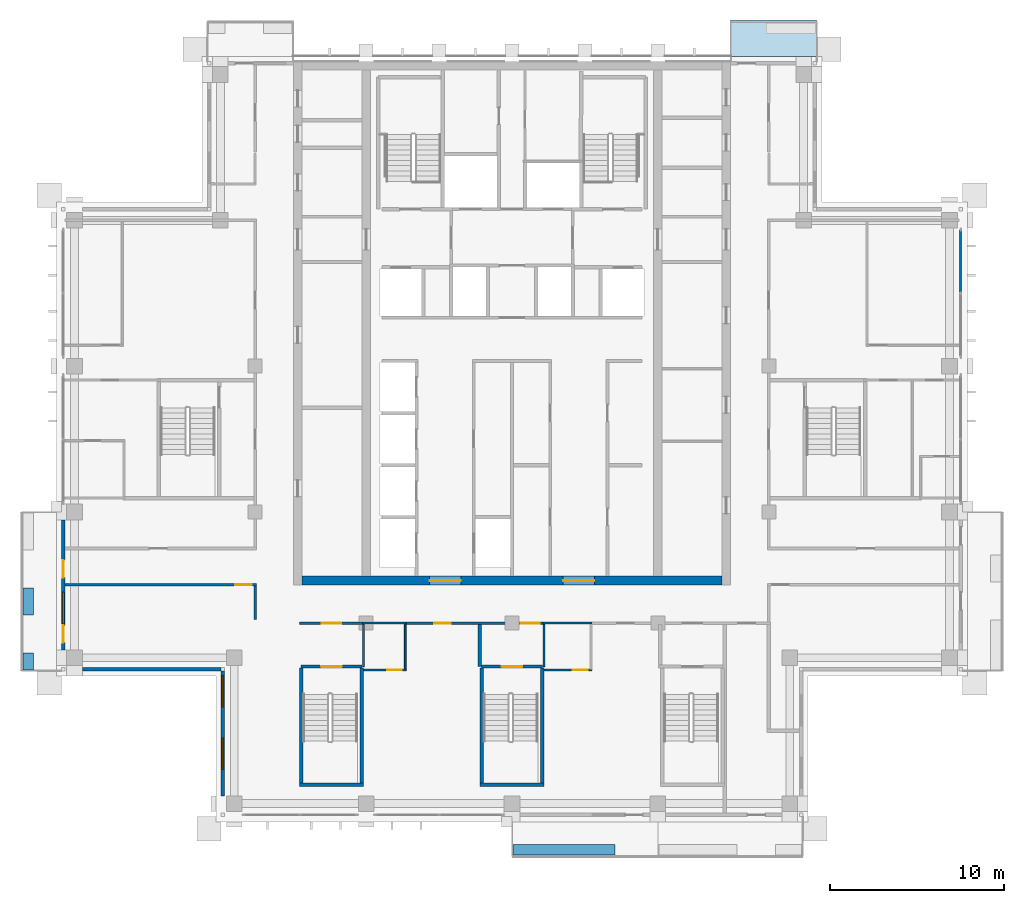
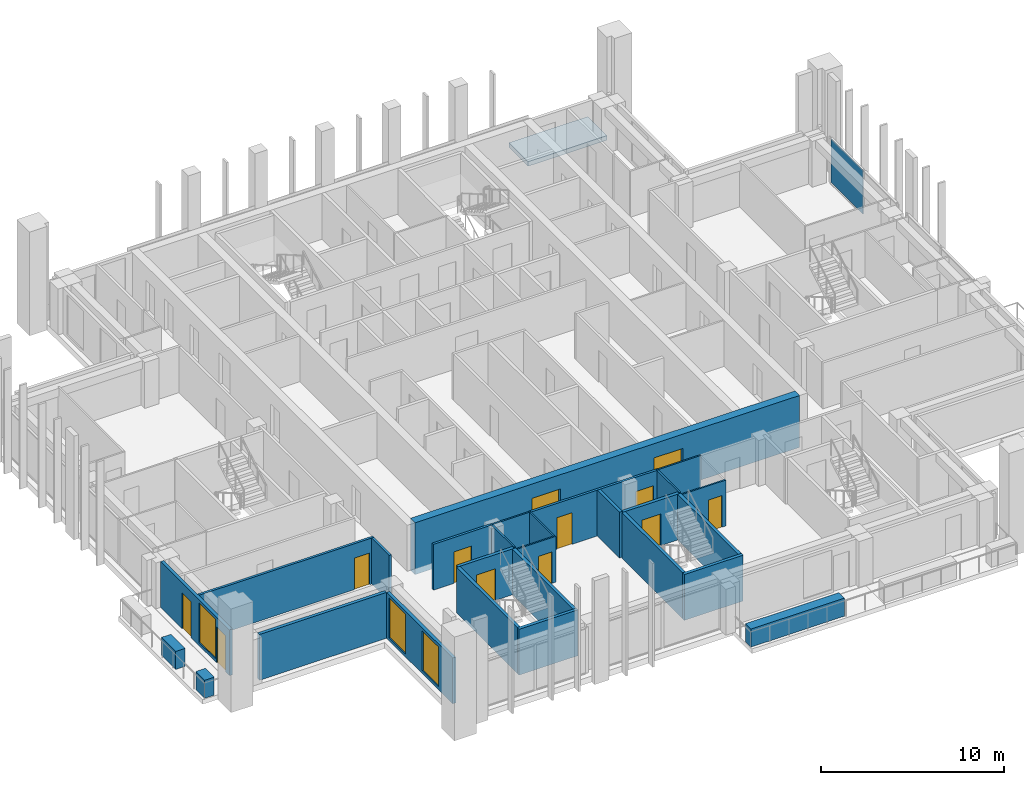
# One storey, part 8 of 18: 27 walls, 12 doors, 3 windows, 1 plate, 1 slab, 15 openings, 1 element without a shape of its own.
"""IFC4 building model written with IfcOpenShell, lengths in metres."""

from ifc_helpers import new_model, si_unit, direction, frame, frame_2d, origin, origin_2d, place, context, subcontext, project, spatial, polyline, rectangle, outline, extrude, material, layer, layer_set, type_object, element, fill, aggregate, save


model = new_model("IFC4")

# Units and contexts
model_context = context("Model", 3, precision=1e-05, world=origin(), true_north=direction((0.0, 1.0)))
body_context = subcontext(model_context, "Body", "Model", "MODEL_VIEW")
ifc_project = project(units=[si_unit("LENGTHUNIT", "METRE"), si_unit("AREAUNIT", "SQUARE_METRE"), si_unit("VOLUMEUNIT", "CUBIC_METRE"), si_unit("PLANEANGLEUNIT", "RADIAN"), si_unit("MASSUNIT", "GRAM", prefix="KILO")], contexts=[model_context])

# Site, building, storey
site_placement = place(None, origin())
site = spatial("IfcSite", under=ifc_project, at=site_placement, CompositionType="ELEMENT")
building_placement = place(site_placement, origin())
building = spatial("IfcBuilding", under=site, at=building_placement, Name="Vermilion Ogive Tower", CompositionType="ELEMENT")
storey_placement = place(building_placement, frame((0.0, 0.0, 254.5)))
storey = spatial("IfcBuildingStorey", under=building, at=storey_placement, Name="L67", CompositionType="ELEMENT", Elevation=254.5)

# Slab
ifc_material_1 = material(Name="Concrete B40", Category="concrete")
ifc_layer_1 = layer(ifc_material_1, 0.300048828125)
ifc_layer_set_1 = layer_set([ifc_layer_1], Name="Balcony slab")
slab_type = type_object("IfcSlabType", Name="Balcony slab", PredefinedType="FLOOR", material=ifc_layer_set_1)
slab_placement = place(storey_placement, frame((0.0, 0.0, -0.340087890625)))
element("IfcSlab", 1, at=slab_placement, inside=storey, type_object=slab_type, Name="Balcony slab N101", PredefinedType="FLOOR", context=body_context, shape_type="SweptSolid", body=[
    extrude(outline(polyline([(17.550048828125, 24.140869140625), (12.60009765625, 24.140869140625), (12.60009765625, 22.050048828125), (17.550048828125, 22.050048828125), (17.550048828125, 24.140869140625)])), origin(), (0.0, 0.0, 1.0), 0.300048828125),
])

# Curtain wall, plate
ifc_material_2 = material(Name="Low-iron laminated glazing in aluminium frame", Category="aluminium")
curtain_wall_type = type_object("IfcCurtainWallType", Name="Curtain wall CW7", PredefinedType="NOTDEFINED", material=ifc_material_2)
curtain_wall_placement = place(storey_placement, origin())
curtain_wall = element("IfcCurtainWall", 2, at=curtain_wall_placement, inside=storey, type_object=curtain_wall_type, Name="Glazed skin E3", PredefinedType="NOTDEFINED")
ifc_material_3 = material(Name="Low-iron laminated glazing in aluminium frame", Category="aluminium")
ifc_layer_2 = layer(ifc_material_3, 0.031982421875)
ifc_layer_set_2 = layer_set([ifc_layer_2], Name="CW7 glazing panel 32")
plate_type = type_object("IfcPlateType", Name="CW7 glazing panel 32", PredefinedType="CURTAIN_PANEL", material=ifc_layer_set_2)
plate_placement = place(storey_placement, frame((25.85009765625, 10.22998046875, 0.06005859375), z_axis=(0.0, 0.0, 1.0), x_axis=(0.0, 1.0, 0.0)))
plate = element("IfcPlate", 3, at=plate_placement, type_object=plate_type, Name="CW7-E3 panel 2.1", PredefinedType="CURTAIN_PANEL", context=body_context, shape_type="SweptSolid", body=[
    extrude(rectangle(XDim=3.47998046875, YDim=0.031982421875, at=origin_2d()), origin(), (0.0, 0.0, 1.0), 2.929931640625),
])
aggregate(curtain_wall, [plate])

# Wall, openings, doors
ifc_material_4 = material(Name="Concrete B60", Category="concrete")
ifc_layer_3 = layer(ifc_material_4, 0.5)
ifc_layer_set_3 = layer_set([ifc_layer_3], Name="Core wall 500 B60")
wall_type_1 = type_object("IfcWallType", Name="Core wall 500 B60", PredefinedType="SHEAR", material=ifc_layer_set_3)
wall_1_placement = place(storey_placement, frame((-12.10009765625, -8.14990234375, -0.39990234375), z_axis=(0.0, 0.0, 1.0), x_axis=(1.0, 0.0, 0.0)))
wall_1 = element("IfcWall", 4, at=wall_1_placement, inside=storey, type_object=wall_type_1, Name="L67-CORE-S", PredefinedType="SHEAR", context=body_context, shape_type="SweptSolid", body=[
    extrude(rectangle(XDim=24.2001953125, YDim=0.5, at=frame_2d((12.10009765625, 0.0))), origin(), (0.0, 0.0, 1.0), 3.449951171875),
])
opening_1_placement = place(wall_1_placement, frame((7.35009765625, 0.0, 0.39990234375)))
opening_1 = element("IfcOpeningElement", 5, at=opening_1_placement, cuts=wall_1, Name="Opening DAH055", PredefinedType="OPENING", context=body_context, shape_type="SweptSolid", body=[
    extrude(rectangle(XDim=1.800048828125, YDim=2.10009765625, at=frame_2d((0.89990234375, 1.050048828125))), frame((0.0, 0.260009765625, 0.0), z_axis=(0.0, -1.0, 0.0), x_axis=(1.0, 0.0, 0.0)), (0.0, 0.0, 1.0), 0.52001953125),
])
opening_2_placement = place(wall_1_placement, frame((15.050048828125, 0.0, 0.39990234375)))
opening_2 = element("IfcOpeningElement", 6, at=opening_2_placement, cuts=wall_1, Name="Opening DAH056", PredefinedType="OPENING", context=body_context, shape_type="SweptSolid", body=[
    extrude(rectangle(XDim=1.800048828125, YDim=2.10009765625, at=frame_2d((0.89990234375, 1.050048828125))), frame((0.0, 0.260009765625, 0.0), z_axis=(0.0, -1.0, 0.0), x_axis=(1.0, 0.0, 0.0)), (0.0, 0.0, 1.0), 0.52001953125),
])
ifc_material_5 = material(Name="Timber door leaf", Category="wood")
door_type_1 = type_object("IfcDoorType", Name="Core entry door 1800 x 2100 FD60S", OperationType="DOUBLE_DOOR_SINGLE_SWING", PredefinedType="DOOR", material=ifc_material_5)
door_1_placement = place(opening_1_placement, origin())
door_1 = element("IfcDoor", 7, at=door_1_placement, inside=storey, type_object=door_type_1, Name="L67-CK-XD1", OperationType="SINGLE_SWING_LEFT", OverallHeight=2.10009765625, OverallWidth=1.800048828125, PredefinedType="DOOR", context=body_context, shape_type="SweptSolid", body=[
    extrude(rectangle(XDim=1.800048828125, YDim=2.10009765625, at=frame_2d((0.89990234375, 1.050048828125))), frame((0.0, 0.02490234375, 0.0), z_axis=(0.0, -1.0, 0.0), x_axis=(1.0, 0.0, 0.0)), (0.0, 0.0, 1.0), 0.050048828125),
])
fill(opening_1, door_1)
door_2_placement = place(opening_2_placement, origin())
door_2 = element("IfcDoor", 8, at=door_2_placement, inside=storey, type_object=door_type_1, Name="L67-CK-XD2", OperationType="SINGLE_SWING_LEFT", OverallHeight=2.10009765625, OverallWidth=1.800048828125, PredefinedType="DOOR", context=body_context, shape_type="SweptSolid", body=[
    extrude(rectangle(XDim=1.800048828125, YDim=2.10009765625, at=frame_2d((0.89990234375, 1.050048828125))), frame((0.0, 0.02490234375, 0.0), z_axis=(0.0, -1.0, 0.0), x_axis=(1.0, 0.0, 0.0)), (0.0, 0.0, 1.0), 0.050048828125),
])
fill(opening_2, door_2)

# Wall, opening, door
ifc_material_6 = material(Name="Gypsum board partition on steel studs", Category="steel")
ifc_layer_4 = layer(ifc_material_6, 0.10009765625)
ifc_layer_set_4 = layer_set([ifc_layer_4], Name="Partition 100 bath")
wall_type_2 = type_object("IfcWallType", Name="Partition 100 bath", PredefinedType="PARTITIONING", material=ifc_layer_set_4)
wall_2_placement = place(storey_placement, frame((-8.550048828125, -13.300048828125, 0.0), z_axis=(0.0, 0.0, 1.0), x_axis=(1.0, 0.0, 0.0)))
wall_2 = element("IfcWall", 9, at=wall_2_placement, inside=storey, type_object=wall_type_2, Name="L67-W-W003", PredefinedType="PARTITIONING", context=body_context, shape_type="SweptSolid", body=[
    extrude(rectangle(XDim=2.449951171875, YDim=0.10009765625, at=frame_2d((1.22509765625, 0.0))), origin(), (0.0, 0.0, 1.0), 3.050048828125),
])
opening_3_placement = place(wall_2_placement, frame((1.35009765625, 0.0, 0.0)))
opening_3 = element("IfcOpeningElement", 10, at=opening_3_placement, cuts=wall_2, Name="Opening D5G5010", PredefinedType="OPENING", context=body_context, shape_type="SweptSolid", body=[
    extrude(rectangle(XDim=0.85009765625, YDim=2.10009765625, at=frame_2d((0.425048828125, 1.050048828125))), frame((0.0, 0.06005859375, 0.0), z_axis=(0.0, -1.0, 0.0), x_axis=(1.0, 0.0, 0.0)), (0.0, 0.0, 1.0), 0.1201171875),
])
ifc_material_7 = material(Name="Timber door leaf", Category="wood")
door_type_2 = type_object("IfcDoorType", Name="Bath door 850 x 2100 FD30", OperationType="SINGLE_SWING_LEFT", PredefinedType="DOOR", material=ifc_material_7)
door_3_placement = place(opening_3_placement, origin())
door_3 = element("IfcDoor", 11, at=door_3_placement, inside=storey, type_object=door_type_2, Name="L67-D-D010", OperationType="SINGLE_SWING_LEFT", OverallHeight=2.10009765625, OverallWidth=0.85009765625, PredefinedType="DOOR", context=body_context, shape_type="SweptSolid", body=[
    extrude(rectangle(XDim=0.85009765625, YDim=2.10009765625, at=frame_2d((0.425048828125, 1.050048828125))), frame((0.0, 0.02490234375, 0.0), z_axis=(0.0, -1.0, 0.0), x_axis=(1.0, 0.0, 0.0)), (0.0, 0.0, 1.0), 0.050048828125),
])
fill(opening_3, door_3)

wall_3_placement = place(storey_placement, frame((1.85009765625, -13.300048828125, 0.0), z_axis=(0.0, 0.0, 1.0), x_axis=(1.0, 0.0, 0.0)))
wall_3 = element("IfcWall", 12, at=wall_3_placement, inside=storey, type_object=wall_type_2, Name="L67-W-W004", PredefinedType="PARTITIONING", context=body_context, shape_type="SweptSolid", body=[
    extrude(rectangle(XDim=2.747802734375, YDim=0.10009765625, at=frame_2d((1.3740234375, 0.0))), origin(), (0.0, 0.0, 1.0), 3.050048828125),
])
opening_4_placement = place(wall_3_placement, frame((1.64990234375, 0.0, 0.0)))
opening_4 = element("IfcOpeningElement", 13, at=opening_4_placement, cuts=wall_3, Name="Opening D5G5012", PredefinedType="OPENING", context=body_context, shape_type="SweptSolid", body=[
    extrude(rectangle(XDim=0.85009765625, YDim=2.10009765625, at=frame_2d((0.425048828125, 1.050048828125))), frame((0.0, 0.06005859375, 0.0), z_axis=(0.0, -1.0, 0.0), x_axis=(1.0, 0.0, 0.0)), (0.0, 0.0, 1.0), 0.1201171875),
])
door_4_placement = place(opening_4_placement, origin())
door_4 = element("IfcDoor", 14, at=door_4_placement, inside=storey, type_object=door_type_2, Name="L67-D-D012", OperationType="SINGLE_SWING_RIGHT", OverallHeight=2.10009765625, OverallWidth=0.85009765625, PredefinedType="DOOR", context=body_context, shape_type="SweptSolid", body=[
    extrude(rectangle(XDim=0.85009765625, YDim=2.10009765625, at=frame_2d((0.425048828125, 1.050048828125))), frame((0.0, 0.02490234375, 0.0), z_axis=(0.0, -1.0, 0.0), x_axis=(1.0, 0.0, 0.0)), (0.0, 0.0, 1.0), 0.050048828125),
])
fill(opening_4, door_4)

# Walls
wall_4_placement = place(storey_placement, frame((-8.60009765625, -10.60009765625, 0.0), z_axis=(0.0, 0.0, 1.0), x_axis=(1.0, 0.0, 0.0)))
element("IfcWall", 15, at=wall_4_placement, inside=storey, type_object=wall_type_2, Name="L67-W-W009", PredefinedType="PARTITIONING", context=body_context, shape_type="SweptSolid", body=[
    extrude(rectangle(XDim=2.5, YDim=0.10009765625, at=frame_2d((1.25, 0.0))), origin(), (0.0, 0.0, 1.0), 3.050048828125),
])
wall_5_placement = place(storey_placement, frame((1.800048828125, -10.60009765625, 0.0), z_axis=(0.0, 0.0, 1.0), x_axis=(1.0, 0.0, 0.0)))
element("IfcWall", 16, at=wall_5_placement, inside=storey, type_object=wall_type_2, Name="L67-W-W011", PredefinedType="PARTITIONING", context=body_context, shape_type="SweptSolid", body=[
    extrude(rectangle(XDim=2.800048828125, YDim=0.10009765625, at=frame_2d((1.39990234375, 0.0))), origin(), (0.0, 0.0, 1.0), 3.050048828125),
])
wall_6_placement = place(storey_placement, frame((-8.550048828125, -13.10009765625, 0.0), z_axis=(0.0, 0.0, 1.0), x_axis=(0.0, 1.0, 0.0)))
element("IfcWall", 17, at=wall_6_placement, inside=storey, type_object=wall_type_2, Name="L67-W-W048", PredefinedType="PARTITIONING", context=body_context, shape_type="SweptSolid", body=[
    extrude(rectangle(XDim=2.425048828125, YDim=0.10009765625, at=frame_2d((1.21240234375, 0.0))), origin(), (0.0, 0.0, 1.0), 3.050048828125),
])
wall_7_placement = place(storey_placement, frame((-6.14990234375, -13.25, 0.0), z_axis=(0.0, 0.0, 1.0), x_axis=(0.0, 1.0, 0.0)))
element("IfcWall", 18, at=wall_7_placement, inside=storey, type_object=wall_type_2, Name="L67-W-W049", PredefinedType="PARTITIONING", context=body_context, shape_type="SweptSolid", body=[
    extrude(rectangle(XDim=2.574951171875, YDim=0.10009765625, at=frame_2d((1.28759765625, 0.0))), origin(), (0.0, 0.0, 1.0), 3.050048828125),
])
wall_8_placement = place(storey_placement, frame((1.85009765625, -13.10009765625, 0.0), z_axis=(0.0, 0.0, 1.0), x_axis=(0.0, 1.0, 0.0)))
element("IfcWall", 19, at=wall_8_placement, inside=storey, type_object=wall_type_2, Name="L67-W-W051", PredefinedType="PARTITIONING", context=body_context, shape_type="SweptSolid", body=[
    extrude(rectangle(XDim=2.425048828125, YDim=0.10009765625, at=frame_2d((1.21240234375, 0.0))), origin(), (0.0, 0.0, 1.0), 3.050048828125),
])

# Wall, opening, door
ifc_material_8 = material(Name="Gypsum board partition on steel studs", Category="steel")
ifc_layer_5 = layer(ifc_material_8, 0.14990234375)
ifc_layer_set_5 = layer_set([ifc_layer_5], Name="Partition 150 corridor")
wall_type_3 = type_object("IfcWallType", Name="Partition 150 corridor", PredefinedType="PARTITIONING", material=ifc_layer_set_5)
wall_9_placement = place(storey_placement, frame((-12.25, -10.60009765625, 0.0), z_axis=(0.0, 0.0, 1.0), x_axis=(1.0, 0.0, 0.0)))
wall_9 = element("IfcWall", 20, at=wall_9_placement, inside=storey, type_object=wall_type_3, Name="L67-W-W008", PredefinedType="PARTITIONING", context=body_context, shape_type="SweptSolid", body=[
    extrude(rectangle(XDim=3.75, YDim=0.14990234375, at=frame_2d((1.875, 0.0))), origin(), (0.0, 0.0, 1.0), 3.050048828125),
])
opening_5_placement = place(wall_9_placement, frame((1.300048828125, 0.0, 0.0)))
opening_5 = element("IfcOpeningElement", 21, at=opening_5_placement, cuts=wall_9, Name="Opening D5G5021", PredefinedType="OPENING", context=body_context, shape_type="SweptSolid", body=[
    extrude(rectangle(XDim=1.10009765625, YDim=2.10009765625, at=frame_2d((0.550048828125, 1.050048828125))), frame((0.0, 0.0849609375, 0.0), z_axis=(0.0, -1.0, 0.0), x_axis=(1.0, 0.0, 0.0)), (0.0, 0.0, 1.0), 0.169921875),
])
ifc_material_9 = material(Name="Timber door leaf", Category="wood")
door_type_3 = type_object("IfcDoorType", Name="Stair door 1100 x 2100 FD60S", OperationType="SINGLE_SWING_LEFT", PredefinedType="DOOR", material=ifc_material_9)
door_5_placement = place(opening_5_placement, origin())
door_5 = element("IfcDoor", 22, at=door_5_placement, inside=storey, type_object=door_type_3, Name="L67-D-D021", OperationType="SINGLE_SWING_RIGHT", OverallHeight=2.10009765625, OverallWidth=1.10009765625, PredefinedType="DOOR", context=body_context, shape_type="SweptSolid", body=[
    extrude(rectangle(XDim=1.10009765625, YDim=2.10009765625, at=frame_2d((0.550048828125, 1.050048828125))), frame((0.0, 0.02490234375, 0.0), z_axis=(0.0, -1.0, 0.0), x_axis=(1.0, 0.0, 0.0)), (0.0, 0.0, 1.0), 0.050048828125),
])
fill(opening_5, door_5)

# Wall, openings, doors
wall_10_placement = place(storey_placement, frame((-6.199951171875, -10.60009765625, 0.0), z_axis=(0.0, 0.0, 1.0), x_axis=(1.0, 0.0, 0.0)))
wall_10 = element("IfcWall", 23, at=wall_10_placement, inside=storey, type_object=wall_type_3, Name="L67-W-W010", PredefinedType="PARTITIONING", context=body_context, shape_type="SweptSolid", body=[
    extrude(rectangle(XDim=8.099853515625, YDim=0.14990234375, at=frame_2d((4.0498046875, 0.0))), origin(), (0.0, 0.0, 1.0), 3.050048828125),
])
opening_6_placement = place(wall_10_placement, frame((1.724853515625, 0.0, 0.0)))
opening_6 = element("IfcOpeningElement", 24, at=opening_6_placement, cuts=wall_10, Name="Opening D5G5009", PredefinedType="OPENING", context=body_context, shape_type="SweptSolid", body=[
    extrude(rectangle(XDim=0.949951171875, YDim=2.10009765625, at=frame_2d((0.47509765625, 1.050048828125))), frame((0.0, 0.0849609375, 0.0), z_axis=(0.0, -1.0, 0.0), x_axis=(1.0, 0.0, 0.0)), (0.0, 0.0, 1.0), 0.169921875),
])
opening_7_placement = place(wall_10_placement, frame((6.699951171875, 0.0, 0.0)))
opening_7 = element("IfcOpeningElement", 25, at=opening_7_placement, cuts=wall_10, Name="Opening D5G5023", PredefinedType="OPENING", context=body_context, shape_type="SweptSolid", body=[
    extrude(rectangle(XDim=1.10009765625, YDim=2.10009765625, at=frame_2d((0.550048828125, 1.050048828125))), frame((0.0, 0.0849609375, 0.0), z_axis=(0.0, -1.0, 0.0), x_axis=(1.0, 0.0, 0.0)), (0.0, 0.0, 1.0), 0.169921875),
])
door_6_placement = place(opening_7_placement, origin())
door_6 = element("IfcDoor", 26, at=door_6_placement, inside=storey, type_object=door_type_3, Name="L67-D-D023", OperationType="SINGLE_SWING_LEFT", OverallHeight=2.10009765625, OverallWidth=1.10009765625, PredefinedType="DOOR", context=body_context, shape_type="SweptSolid", body=[
    extrude(rectangle(XDim=1.10009765625, YDim=2.10009765625, at=frame_2d((0.550048828125, 1.050048828125))), frame((0.0, 0.02490234375, 0.0), z_axis=(0.0, -1.0, 0.0), x_axis=(1.0, 0.0, 0.0)), (0.0, 0.0, 1.0), 0.050048828125),
])
fill(opening_7, door_6)
ifc_material_10 = material(Name="Timber door leaf", Category="wood")
door_type_4 = type_object("IfcDoorType", Name="Unit door 950 x 2100 FD30S", OperationType="SINGLE_SWING_LEFT", PredefinedType="DOOR", material=ifc_material_10)
door_7_placement = place(opening_6_placement, origin())
door_7 = element("IfcDoor", 27, at=door_7_placement, inside=storey, type_object=door_type_4, Name="L67-D-D009", OperationType="SINGLE_SWING_LEFT", OverallHeight=2.10009765625, OverallWidth=0.949951171875, PredefinedType="DOOR", context=body_context, shape_type="SweptSolid", body=[
    extrude(rectangle(XDim=0.949951171875, YDim=2.10009765625, at=frame_2d((0.47509765625, 1.050048828125))), frame((0.0, 0.02490234375, 0.0), z_axis=(0.0, -1.0, 0.0), x_axis=(1.0, 0.0, 0.0)), (0.0, 0.0, 1.0), 0.050048828125),
])
fill(opening_6, door_7)

# Wall, opening, door
wall_11_placement = place(storey_placement, frame((-25.75, -8.39990234375, 0.0), z_axis=(0.0, 0.0, 1.0), x_axis=(1.0, 0.0, 0.0)))
wall_11 = element("IfcWall", 28, at=wall_11_placement, inside=storey, type_object=wall_type_3, Name="L67-W-W014", PredefinedType="PARTITIONING", context=body_context, shape_type="SweptSolid", body=[
    extrude(rectangle(XDim=11.02490234375, YDim=0.14990234375, at=frame_2d((5.512451171875, 0.0))), origin(), (0.0, 0.0, 1.0), 3.050048828125),
])
opening_8_placement = place(wall_11_placement, frame((9.800048828125, 0.0, 0.0)))
opening_8 = element("IfcOpeningElement", 29, at=opening_8_placement, cuts=wall_11, Name="Opening D5G5001", PredefinedType="OPENING", context=body_context, shape_type="SweptSolid", body=[
    extrude(rectangle(XDim=0.949951171875, YDim=2.10009765625, at=frame_2d((0.47509765625, 1.050048828125))), frame((0.0, 0.0849609375, 0.0), z_axis=(0.0, -1.0, 0.0), x_axis=(1.0, 0.0, 0.0)), (0.0, 0.0, 1.0), 0.169921875),
])
door_8_placement = place(opening_8_placement, origin())
door_8 = element("IfcDoor", 30, at=door_8_placement, inside=storey, type_object=door_type_4, Name="L67-D-D001", OperationType="SINGLE_SWING_RIGHT", OverallHeight=2.10009765625, OverallWidth=0.949951171875, PredefinedType="DOOR", context=body_context, shape_type="SweptSolid", body=[
    extrude(rectangle(XDim=0.949951171875, YDim=2.10009765625, at=frame_2d((0.47509765625, 1.050048828125))), frame((0.0, 0.02490234375, 0.0), z_axis=(0.0, -1.0, 0.0), x_axis=(1.0, 0.0, 0.0)), (0.0, 0.0, 1.0), 0.050048828125),
])
fill(opening_8, door_8)

# Walls
wall_12_placement = place(storey_placement, frame((-14.800048828125, -10.3798828125, 0.0), z_axis=(0.0, 0.0, 1.0), x_axis=(0.0, 1.0, 0.0)))
element("IfcWall", 31, at=wall_12_placement, inside=storey, type_object=wall_type_3, Name="L67-W-W044", PredefinedType="PARTITIONING", context=body_context, shape_type="SweptSolid", body=[
    extrude(rectangle(XDim=1.90478515625, YDim=0.14990234375, at=frame_2d((0.952392578125, 0.0))), origin(), (0.0, 0.0, 1.0), 3.050048828125),
])
ifc_material_11 = material(Name="Gypsum board partition on steel studs", Category="steel")
ifc_layer_6 = layer(ifc_material_11, 0.199951171875)
ifc_layer_set_6 = layer_set([ifc_layer_6], Name="Partition 200 party")
wall_type_4 = type_object("IfcWallType", Name="Partition 200 party", PredefinedType="PARTITIONING", material=ifc_layer_set_6)
wall_13_placement = place(storey_placement, frame((-1.85009765625, -13.10009765625, 0.0), z_axis=(0.0, 0.0, 1.0), x_axis=(0.0, 1.0, 0.0)))
element("IfcWall", 32, at=wall_13_placement, inside=storey, type_object=wall_type_4, Name="L67-W-W050", PredefinedType="PARTITIONING", context=body_context, shape_type="SweptSolid", body=[
    extrude(rectangle(XDim=2.425048828125, YDim=0.199951171875, at=frame_2d((1.21240234375, 0.0))), origin(), (0.0, 0.0, 1.0), 3.050048828125),
])

# Wall, opening, door
ifc_material_12 = material(Name="Concrete B60", Category="concrete")
ifc_layer_7 = layer(ifc_material_12, 0.199951171875)
ifc_layer_set_7 = layer_set([ifc_layer_7], Name="Stair shaft wall 200 Concrete B60")
wall_type_5 = type_object("IfcWallType", Name="Stair shaft wall 200 Concrete B60", PredefinedType="SOLIDWALL", material=ifc_layer_set_7)
wall_14_placement = place(storey_placement, frame((-12.14990234375, -13.10009765625, 0.0), z_axis=(0.0, 0.0, 1.0), x_axis=(1.0, 0.0, 0.0)))
wall_14 = element("IfcWall", 33, at=wall_14_placement, inside=storey, type_object=wall_type_5, Name="L67-W-W005", PredefinedType="SOLIDWALL", context=body_context, shape_type="SweptSolid", body=[
    extrude(rectangle(XDim=3.5, YDim=0.199951171875, at=frame_2d((1.75, 0.0))), origin(), (0.0, 0.0, 1.0), 3.050048828125),
])
opening_9_placement = place(wall_14_placement, frame((1.14990234375, 0.0, 0.0)))
opening_9 = element("IfcOpeningElement", 34, at=opening_9_placement, cuts=wall_14, Name="Opening D5G5022", PredefinedType="OPENING", context=body_context, shape_type="SweptSolid", body=[
    extrude(rectangle(XDim=1.199951171875, YDim=2.10009765625, at=frame_2d((0.60009765625, 1.050048828125))), frame((0.0, 0.10986328125, 0.0), z_axis=(0.0, -1.0, 0.0), x_axis=(1.0, 0.0, 0.0)), (0.0, 0.0, 1.0), 0.219970703125),
])
ifc_material_13 = material(Name="Timber door leaf", Category="wood")
door_type_5 = type_object("IfcDoorType", Name="Stair door 1200 x 2100 FD60S", OperationType="SINGLE_SWING_LEFT", PredefinedType="DOOR", material=ifc_material_13)
door_9_placement = place(opening_9_placement, origin())
door_9 = element("IfcDoor", 35, at=door_9_placement, inside=storey, type_object=door_type_5, Name="L67-D-D022", OperationType="SINGLE_SWING_RIGHT", OverallHeight=2.10009765625, OverallWidth=1.199951171875, PredefinedType="DOOR", context=body_context, shape_type="SweptSolid", body=[
    extrude(rectangle(XDim=1.199951171875, YDim=2.10009765625, at=frame_2d((0.60009765625, 1.050048828125))), frame((0.0, 0.02490234375, 0.0), z_axis=(0.0, -1.0, 0.0), x_axis=(1.0, 0.0, 0.0)), (0.0, 0.0, 1.0), 0.050048828125),
])
fill(opening_9, door_9)

wall_15_placement = place(storey_placement, frame((-1.75, -13.10009765625, 0.0), z_axis=(0.0, 0.0, 1.0), x_axis=(1.0, 0.0, 0.0)))
wall_15 = element("IfcWall", 36, at=wall_15_placement, inside=storey, type_object=wall_type_5, Name="L67-W-W006", PredefinedType="SOLIDWALL", context=body_context, shape_type="SweptSolid", body=[
    extrude(rectangle(XDim=3.5, YDim=0.199951171875, at=frame_2d((1.75, 0.0))), origin(), (0.0, 0.0, 1.0), 3.050048828125),
])
opening_10_placement = place(wall_15_placement, frame((1.14990234375, 0.0, 0.0)))
opening_10 = element("IfcOpeningElement", 37, at=opening_10_placement, cuts=wall_15, Name="Opening D5G5024", PredefinedType="OPENING", context=body_context, shape_type="SweptSolid", body=[
    extrude(rectangle(XDim=1.199951171875, YDim=2.10009765625, at=frame_2d((0.60009765625, 1.050048828125))), frame((0.0, 0.10986328125, 0.0), z_axis=(0.0, -1.0, 0.0), x_axis=(1.0, 0.0, 0.0)), (0.0, 0.0, 1.0), 0.219970703125),
])
door_10_placement = place(opening_10_placement, origin())
door_10 = element("IfcDoor", 38, at=door_10_placement, inside=storey, type_object=door_type_5, Name="L67-D-D024", OperationType="SINGLE_SWING_RIGHT", OverallHeight=2.10009765625, OverallWidth=1.199951171875, PredefinedType="DOOR", context=body_context, shape_type="SweptSolid", body=[
    extrude(rectangle(XDim=1.199951171875, YDim=2.10009765625, at=frame_2d((0.60009765625, 1.050048828125))), frame((0.0, 0.02490234375, 0.0), z_axis=(0.0, -1.0, 0.0), x_axis=(1.0, 0.0, 0.0)), (0.0, 0.0, 1.0), 0.050048828125),
])
fill(opening_10, door_10)

# Walls
wall_16_placement = place(storey_placement, frame((-12.25, -19.89990234375, 0.0), z_axis=(0.0, 0.0, 1.0), x_axis=(1.0, 0.0, 0.0)))
element("IfcWall", 39, at=wall_16_placement, inside=storey, type_object=wall_type_5, Name="L67-SW-ST3-S1", PredefinedType="SOLIDWALL", context=body_context, shape_type="SweptSolid", body=[
    extrude(rectangle(XDim=3.699951171875, YDim=0.199951171875, at=frame_2d((1.85009765625, 0.0))), origin(), (0.0, 0.0, 1.0), 3.050048828125),
])
for number, where, z_axis, x_axis, name in (
    (40, (-12.14990234375, -19.800048828125, 0.0), (0.0, 0.0, 1.0), (0.0, 1.0, 0.0), "L67-SW-ST3-W1"),
    (41, (-8.64990234375, -19.800048828125, 0.0), (0.0, 0.0, 1.0), (0.0, 1.0, 0.0), "L67-SW-ST3-E1"),
):
    element("IfcWall", number, at=place(storey_placement, frame(where, z_axis=z_axis, x_axis=x_axis)), inside=storey, type_object=wall_type_5, Name=name, PredefinedType="SOLIDWALL", context=body_context, shape_type="SweptSolid", body=[
        extrude(rectangle(XDim=6.60009765625, YDim=0.199951171875, at=frame_2d((3.300048828125, 0.0))), origin(), (0.0, 0.0, 1.0), 3.050048828125),
    ])
wall_17_placement = place(storey_placement, frame((-1.85009765625, -19.89990234375, 0.0), z_axis=(0.0, 0.0, 1.0), x_axis=(1.0, 0.0, 0.0)))
element("IfcWall", 42, at=wall_17_placement, inside=storey, type_object=wall_type_5, Name="L67-SW-ST4-S1", PredefinedType="SOLIDWALL", context=body_context, shape_type="SweptSolid", body=[
    extrude(rectangle(XDim=3.7001953125, YDim=0.199951171875, at=frame_2d((1.85009765625, 0.0))), origin(), (0.0, 0.0, 1.0), 3.050048828125),
])
for number, where, z_axis, x_axis, name in (
    (43, (-1.75, -19.800048828125, 0.0), (0.0, 0.0, 1.0), (0.0, 1.0, 0.0), "L67-SW-ST4-W1"),
    (44, (1.75, -19.800048828125, 0.0), (0.0, 0.0, 1.0), (0.0, 1.0, 0.0), "L67-SW-ST4-E1"),
):
    element("IfcWall", number, at=place(storey_placement, frame(where, z_axis=z_axis, x_axis=x_axis)), inside=storey, type_object=wall_type_5, Name=name, PredefinedType="SOLIDWALL", context=body_context, shape_type="SweptSolid", body=[
        extrude(rectangle(XDim=6.60009765625, YDim=0.199951171875, at=frame_2d((3.300048828125, 0.0))), origin(), (0.0, 0.0, 1.0), 3.050048828125),
    ])
ifc_material_14 = material(Name="Concrete B40", Category="concrete")
ifc_layer_8 = layer(ifc_material_14, 0.60009765625)
ifc_layer_set_8 = layer_set([ifc_layer_8], Name="Structural planter")
wall_type_6 = type_object("IfcWallType", Name="Structural planter", PredefinedType="USERDEFINED", material=ifc_layer_set_8)
wall_18_placement = place(storey_placement, frame((0.06005859375, -23.660888671875, -0.0400390625), z_axis=(0.0, 0.0, 1.0), x_axis=(1.0, 0.0, 0.0)))
element("IfcWall", 45, at=wall_18_placement, inside=storey, type_object=wall_type_6, Name="Planter S03A1", ObjectType="PLANTER", PredefinedType="USERDEFINED", context=body_context, shape_type="SweptSolid", body=[
    extrude(rectangle(XDim=5.864990234375, YDim=0.60009765625, at=frame_2d((2.9326171875, 0.0))), origin(), (0.0, 0.0, 1.0), 1.199951171875),
])
wall_19_placement = place(storey_placement, frame((-27.86083984375, -8.574951171875, -0.0400390625), z_axis=(0.0, 0.0, 1.0), x_axis=(0.0, -1.0, 0.0)))
element("IfcWall", 46, at=wall_19_placement, inside=storey, type_object=wall_type_6, Name="Planter W03A2", ObjectType="PLANTER", PredefinedType="USERDEFINED", context=body_context, shape_type="SweptSolid", body=[
    extrude(rectangle(XDim=1.550048828125, YDim=0.60009765625, at=frame_2d((0.77490234375, 0.0))), origin(), (0.0, 0.0, 1.0), 1.199951171875),
])
wall_20_placement = place(storey_placement, frame((-27.86083984375, -12.324951171875, -0.0400390625), z_axis=(0.0, 0.0, 1.0), x_axis=(0.0, -1.0, 0.0)))
element("IfcWall", 47, at=wall_20_placement, inside=storey, type_object=wall_type_6, Name="Planter W03A3", ObjectType="PLANTER", PredefinedType="USERDEFINED", context=body_context, shape_type="SweptSolid", body=[
    extrude(rectangle(XDim=0.965087890625, YDim=0.60009765625, at=frame_2d((0.482421875, 0.0))), origin(), (0.0, 0.0, 1.0), 1.199951171875),
])

# Wall, openings, doors, window
ifc_material_15 = material(Name="Aluminium window wall framing", Category="aluminium")
ifc_layer_9 = layer(ifc_material_15, 0.199951171875)
ifc_layer_set_9 = layer_set([ifc_layer_9], Name="Window wall")
wall_type_7 = type_object("IfcWallType", Name="Window wall", PredefinedType="STANDARD", material=ifc_layer_set_9)
wall_21_placement = place(storey_placement, frame((-25.85009765625, -4.64990234375, 0.0), z_axis=(0.0, 0.0, 1.0), x_axis=(0.0, -1.0, 0.0)))
wall_21 = element("IfcWall", 48, at=wall_21_placement, inside=storey, type_object=wall_type_7, Name="Window wall W3", PredefinedType="STANDARD", context=body_context, shape_type="SweptSolid", body=[
    extrude(rectangle(XDim=7.5, YDim=0.199951171875, at=frame_2d((3.75, 0.0))), origin(), (0.0, 0.0, 1.0), 3.050048828125),
])
opening_11_placement = place(wall_21_placement, frame((4.175048828125, 0.0, 0.199951171875)))
opening_11 = element("IfcOpeningElement", 49, at=opening_11_placement, cuts=wall_21, Name="Opening W1-W97", PredefinedType="OPENING", context=body_context, shape_type="SweptSolid", body=[
    extrude(rectangle(XDim=1.800048828125, YDim=2.64990234375, at=frame_2d((0.89990234375, 1.324951171875))), frame((0.0, 0.10986328125, 0.0), z_axis=(0.0, -1.0, 0.0), x_axis=(1.0, 0.0, 0.0)), (0.0, 0.0, 1.0), 0.219970703125),
])
opening_12_placement = place(wall_21_placement, frame((6.074951171875, 0.0, 0.0)))
opening_12 = element("IfcOpeningElement", 50, at=opening_12_placement, cuts=wall_21, Name="Opening D1-W97", PredefinedType="OPENING", context=body_context, shape_type="SweptSolid", body=[
    extrude(rectangle(XDim=1.0, YDim=2.39990234375, at=frame_2d((0.5, 1.199951171875))), frame((0.0, 0.10986328125, 0.0), z_axis=(0.0, -1.0, 0.0), x_axis=(1.0, 0.0, 0.0)), (0.0, 0.0, 1.0), 0.219970703125),
])
opening_13_placement = place(wall_21_placement, frame((2.324951171875, 0.0, 0.0)))
opening_13 = element("IfcOpeningElement", 51, at=opening_13_placement, cuts=wall_21, Name="Opening D1-W98", PredefinedType="OPENING", context=body_context, shape_type="SweptSolid", body=[
    extrude(rectangle(XDim=1.0, YDim=2.39990234375, at=frame_2d((0.5, 1.199951171875))), frame((0.0, 0.10986328125, 0.0), z_axis=(0.0, -1.0, 0.0), x_axis=(1.0, 0.0, 0.0)), (0.0, 0.0, 1.0), 0.219970703125),
])
ifc_material_16 = material(Name="Aluminium framed glazed door", Category="aluminium")
door_type_6 = type_object("IfcDoorType", Name="Balcony door D1", OperationType="SINGLE_SWING_LEFT", PredefinedType="DOOR", material=ifc_material_16)
door_11_placement = place(opening_12_placement, origin())
door_11 = element("IfcDoor", 52, at=door_11_placement, inside=storey, type_object=door_type_6, Name="Balcony door W97", OperationType="SINGLE_SWING_LEFT", OverallHeight=2.39990234375, OverallWidth=1.0, PredefinedType="DOOR", context=body_context, shape_type="SweptSolid", body=[
    extrude(rectangle(XDim=1.0, YDim=2.39990234375, at=frame_2d((0.5, 1.199951171875))), frame((0.0, 0.02490234375, 0.0), z_axis=(0.0, -1.0, 0.0), x_axis=(1.0, 0.0, 0.0)), (0.0, 0.0, 1.0), 0.050048828125),
])
fill(opening_12, door_11)
door_12_placement = place(opening_13_placement, origin())
door_12 = element("IfcDoor", 53, at=door_12_placement, inside=storey, type_object=door_type_6, Name="Balcony door W98", OperationType="SINGLE_SWING_LEFT", OverallHeight=2.39990234375, OverallWidth=1.0, PredefinedType="DOOR", context=body_context, shape_type="SweptSolid", body=[
    extrude(rectangle(XDim=1.0, YDim=2.39990234375, at=frame_2d((0.5, 1.199951171875))), frame((0.0, 0.02490234375, 0.0), z_axis=(0.0, -1.0, 0.0), x_axis=(1.0, 0.0, 0.0)), (0.0, 0.0, 1.0), 0.050048828125),
])
fill(opening_13, door_12)
ifc_material_17 = material(Name="Aluminium framed double glazing", Category="aluminium")
window_type = type_object("IfcWindowType", Name="Guest window W1", PartitioningType="SINGLE_PANEL", PredefinedType="WINDOW", material=ifc_material_17)
window_1_placement = place(opening_11_placement, origin())
window_1 = element("IfcWindow", 54, at=window_1_placement, inside=storey, type_object=window_type, Name="Window W97", OverallHeight=2.64990234375, OverallWidth=1.800048828125, PartitioningType="SINGLE_PANEL", PredefinedType="WINDOW", context=body_context, shape_type="SweptSolid", body=[
    extrude(rectangle(XDim=1.800048828125, YDim=2.64990234375, at=frame_2d((0.89990234375, 1.324951171875))), frame((0.0, 0.030029296875, 0.0), z_axis=(0.0, -1.0, 0.0), x_axis=(1.0, 0.0, 0.0)), (0.0, 0.0, 1.0), 0.06005859375),
])
fill(opening_11, window_1)

# Wall
wall_22_placement = place(storey_placement, frame((-24.75, -13.25, 0.0), z_axis=(0.0, 0.0, 1.0), x_axis=(1.0, 0.0, 0.0)))
element("IfcWall", 55, at=wall_22_placement, inside=storey, type_object=wall_type_7, Name="Window wall X71", PredefinedType="STANDARD", context=body_context, shape_type="SweptSolid", body=[
    extrude(rectangle(XDim=8.0, YDim=0.199951171875, at=frame_2d((4.0, 0.0))), origin(), (0.0, 0.0, 1.0), 3.050048828125),
])

# Wall, openings, windows
wall_23_placement = place(storey_placement, frame((-16.64990234375, -13.35009765625, 0.0), z_axis=(0.0, 0.0, 1.0), x_axis=(0.0, -1.0, 0.0)))
wall_23 = element("IfcWall", 56, at=wall_23_placement, inside=storey, type_object=wall_type_7, Name="Window wall X81", PredefinedType="STANDARD", context=body_context, shape_type="SweptSolid", body=[
    extrude(rectangle(XDim=7.199951171875, YDim=0.199951171875, at=frame_2d((3.60009765625, 0.0))), origin(), (0.0, 0.0, 1.0), 3.050048828125),
])
opening_14_placement = place(wall_23_placement, frame((3.875, 0.0, 0.199951171875)))
opening_14 = element("IfcOpeningElement", 57, at=opening_14_placement, cuts=wall_23, Name="Opening W1-X895", PredefinedType="OPENING", context=body_context, shape_type="SweptSolid", body=[
    extrude(rectangle(XDim=1.800048828125, YDim=2.64990234375, at=frame_2d((0.89990234375, 1.324951171875))), frame((0.0, 0.10986328125, 0.0), z_axis=(0.0, -1.0, 0.0), x_axis=(1.0, 0.0, 0.0)), (0.0, 0.0, 1.0), 0.219970703125),
])
opening_15_placement = place(wall_23_placement, frame((0.27490234375, 0.0, 0.199951171875)))
opening_15 = element("IfcOpeningElement", 58, at=opening_15_placement, cuts=wall_23, Name="Opening W1-X896", PredefinedType="OPENING", context=body_context, shape_type="SweptSolid", body=[
    extrude(rectangle(XDim=1.800048828125, YDim=2.64990234375, at=frame_2d((0.89990234375, 1.324951171875))), frame((0.0, 0.10986328125, 0.0), z_axis=(0.0, -1.0, 0.0), x_axis=(1.0, 0.0, 0.0)), (0.0, 0.0, 1.0), 0.219970703125),
])
window_2_placement = place(opening_14_placement, origin())
window_2 = element("IfcWindow", 59, at=window_2_placement, inside=storey, type_object=window_type, Name="Window X895", OverallHeight=2.64990234375, OverallWidth=1.800048828125, PartitioningType="SINGLE_PANEL", PredefinedType="WINDOW", context=body_context, shape_type="SweptSolid", body=[
    extrude(rectangle(XDim=1.800048828125, YDim=2.64990234375, at=frame_2d((0.89990234375, 1.324951171875))), frame((0.0, 0.030029296875, 0.0), z_axis=(0.0, -1.0, 0.0), x_axis=(1.0, 0.0, 0.0)), (0.0, 0.0, 1.0), 0.06005859375),
])
fill(opening_14, window_2)
window_3_placement = place(opening_15_placement, origin())
window_3 = element("IfcWindow", 60, at=window_3_placement, inside=storey, type_object=window_type, Name="Window X896", OverallHeight=2.64990234375, OverallWidth=1.800048828125, PartitioningType="SINGLE_PANEL", PredefinedType="WINDOW", context=body_context, shape_type="SweptSolid", body=[
    extrude(rectangle(XDim=1.800048828125, YDim=2.64990234375, at=frame_2d((0.89990234375, 1.324951171875))), frame((0.0, 0.030029296875, 0.0), z_axis=(0.0, -1.0, 0.0), x_axis=(1.0, 0.0, 0.0)), (0.0, 0.0, 1.0), 0.06005859375),
])
fill(opening_15, window_3)

save(model, "model.ifc")
